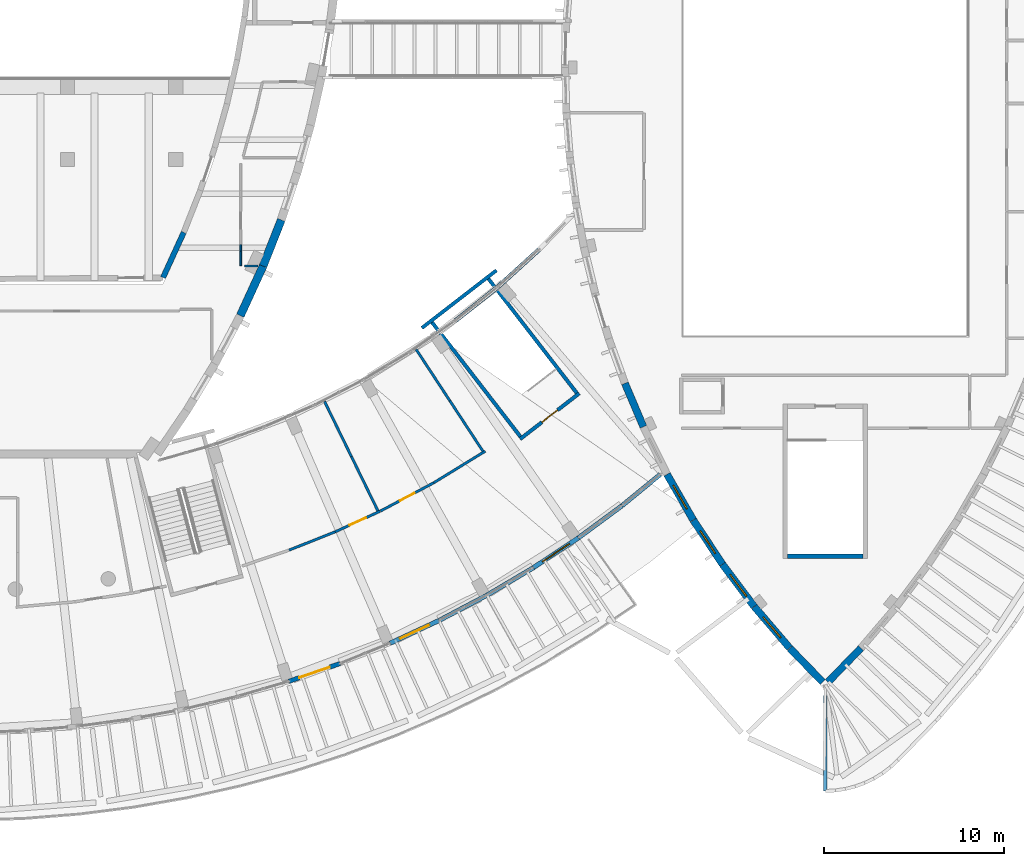
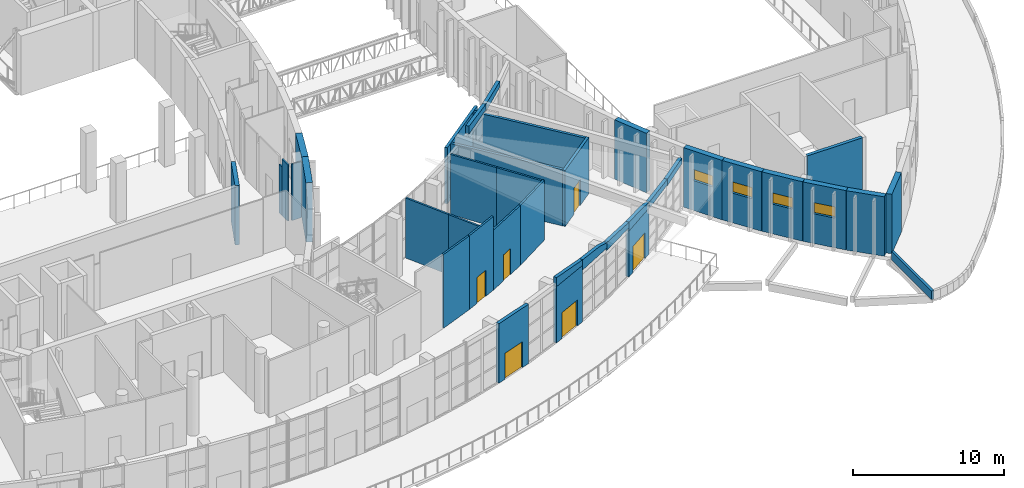
# One storey, part 59 of 93: 38 walls, 6 doors, 4 windows, 10 openings.
"""IFC4 building model written with IfcOpenShell, lengths in metres."""

import ifcopenshell
import ifcopenshell.guid

model = None  # the IFC model being written
_history = None  # IfcOwnerHistory: only IFC2X3 demands one
_inside = {}  # id of a spatial element -> (the spatial element, [elements in it])
_under = {}  # id of a project, library or spatial element -> (it, [spatial elements below it])
_declared = {}  # id of a project -> (the project, [libraries it declares])
_typed = {}  # id of a type object -> (the type object, [elements of that type])
_made_of = {}  # id of a material, layer set ... -> (it, [elements and type objects made of it])


def new_model(schema):
    """Start an empty IFC model of exactly this schema.

    Asked for "IFC4X3", IfcOpenShell would pick the latest addendum, in which some entities
    have other attributes; the version numbers below select the first issue.
    IFC2X3 requires an IfcOwnerHistory on every rooted entity: one is made here for all.
    """
    global model, _history
    if schema == "IFC4X3":
        model = ifcopenshell.file(schema_version=(4, 3, 0, 0))
    else:
        model = ifcopenshell.file(schema=schema)
    _inside.clear()
    _under.clear()
    _declared.clear()
    _typed.clear()
    _made_of.clear()
    _history = None
    if model.schema == "IFC2X3":
        org = make("IfcOrganization", Name="unknown")
        user = make(
            "IfcPersonAndOrganization",
            ThePerson=make("IfcPerson", FamilyName="unknown"),
            TheOrganization=org,
        )
        app = make(
            "IfcApplication",
            ApplicationDeveloper=org,
            Version="unknown",
            ApplicationFullName="unknown",
            ApplicationIdentifier="unknown",
        )
        _history = make(
            "IfcOwnerHistory",
            OwningUser=user,
            OwningApplication=app,
            ChangeAction="ADDED",
            CreationDate=0,
        )
    return model


def make(cls, **values):
    """One entity of the class cls with the attributes given. An attribute that is None is left unset."""
    return model.create_entity(
        cls, **{name: value for name, value in values.items() if value is not None}
    )


def rooted(cls, **values):
    """An entity with a GlobalId (a new one), such as an element, a storey or a relation."""
    return make(cls, GlobalId=ifcopenshell.guid.new(), OwnerHistory=_history, **values)


def si_unit(unit_type, name, prefix=None):
    """IfcSIUnit, for example si_unit("LENGTHUNIT", "METRE", prefix="MILLI")."""
    return make("IfcSIUnit", UnitType=unit_type, Prefix=prefix, Name=name)


def assignment(units):
    """IfcUnitAssignment: the units of a project."""
    return None if units is None else make("IfcUnitAssignment", Units=units)


def point(xyz):
    """IfcCartesianPoint."""
    return None if xyz is None else make("IfcCartesianPoint", Coordinates=xyz)


def direction(xyz):
    """IfcDirection."""
    return None if xyz is None else make("IfcDirection", DirectionRatios=xyz)


def frame(location, z_axis=None, x_axis=None):
    """IfcAxis2Placement3D, a coordinate frame: its origin and axes. An axis left out is left unset."""
    return make(
        "IfcAxis2Placement3D",
        Location=point(location),
        Axis=direction(z_axis),
        RefDirection=direction(x_axis),
    )


def frame_2d(location, x_axis=None):
    """IfcAxis2Placement2D, a coordinate frame in the plane: its origin and x axis."""
    return make(
        "IfcAxis2Placement2D", Location=point(location), RefDirection=direction(x_axis)
    )


def origin():
    """The frame at (0, 0, 0) with its axes left unset."""
    return frame((0.0, 0.0, 0.0))


def place(relative_to, where):
    """IfcLocalPlacement: puts the frame where relative to a parent placement (None: the world)."""
    return make(
        "IfcLocalPlacement", PlacementRelTo=relative_to, RelativePlacement=where
    )


def context(
    kind, dimensions, precision=None, world=None, true_north=None, identifier=None
):
    """IfcGeometricRepresentationContext, for example the 3D "Model" context."""
    return make(
        "IfcGeometricRepresentationContext",
        ContextIdentifier=identifier,
        ContextType=kind,
        CoordinateSpaceDimension=dimensions,
        Precision=precision,
        WorldCoordinateSystem=world,
        TrueNorth=true_north,
    )


def subcontext(parent, identifier, kind, view, scale=None):
    """IfcGeometricRepresentationSubContext, for example "Body" below "Model"."""
    return make(
        "IfcGeometricRepresentationSubContext",
        ContextIdentifier=identifier,
        ContextType=kind,
        ParentContext=parent,
        TargetScale=scale,
        TargetView=view,
    )


def project(units=None, contexts=None):
    """IfcProject with its units and contexts."""
    return rooted(
        "IfcProject",
        Name="project",
        RepresentationContexts=contexts,
        UnitsInContext=assignment(units),
    )


def spatial(cls, under=None, at=None, **own):
    """A site, building, storey or space (cls), placed at a placement, below another one or the project."""
    s = rooted(cls, ObjectPlacement=at, **own)
    if under is not None:
        _under.setdefault(under.id(), (under, []))[1].append(s)
    return s


def polyline(points):
    """IfcPolyline through the points."""
    return make("IfcPolyline", Points=[point(p) for p in points])


def profile(cls, at=None, kind="AREA", **sizes):
    """A parametric profile (cls). Its sizes go by their IFC names, for example OverallWidth=200.0."""
    return make(cls, ProfileType=kind, Position=at, **sizes)


def rectangle(**sizes):
    """IfcRectangleProfileDef."""
    return profile("IfcRectangleProfileDef", **sizes)


def outline(outer, holes=None, kind="AREA"):
    """IfcArbitraryClosedProfileDef: a profile drawn as a closed curve; with holes, ...WithVoids."""
    if holes is None:
        return make("IfcArbitraryClosedProfileDef", ProfileType=kind, OuterCurve=outer)
    return make(
        "IfcArbitraryProfileDefWithVoids",
        ProfileType=kind,
        OuterCurve=outer,
        InnerCurves=holes,
    )


def extrude(swept, where, along, depth):
    """IfcExtrudedAreaSolid: the profile swept, set in the frame where, extruded along a direction by depth."""
    return make(
        "IfcExtrudedAreaSolid",
        SweptArea=swept,
        Position=where,
        ExtrudedDirection=direction(along),
        Depth=depth,
    )


def shape(context_of_items, identifier, shape_type, items):
    """IfcShapeRepresentation: the items that make up one representation, for example the "Body"."""
    return make(
        "IfcShapeRepresentation",
        ContextOfItems=context_of_items,
        RepresentationIdentifier=identifier,
        RepresentationType=shape_type,
        Items=items,
    )


def material(Name=None, Category=None):
    """IfcMaterial."""
    return make("IfcMaterial", Name=Name, Category=Category)


def layer(
    of_material, thickness, ventilated=None, Name=None, Category=None, Priority=None
):
    """IfcMaterialLayer: one layer of a wall or slab, of a material (None: an air gap)."""
    return make(
        "IfcMaterialLayer",
        Material=of_material,
        LayerThickness=thickness,
        IsVentilated=ventilated,
        Name=Name,
        Category=Category,
        Priority=Priority,
    )


def layer_set(layers, Name=None):
    """IfcMaterialLayerSet."""
    return make("IfcMaterialLayerSet", MaterialLayers=layers, LayerSetName=Name)


def made_of(thing, what):
    """Note that an element or type object is made of a material, layer set ...; save() writes the relation."""
    if what is not None:
        _made_of.setdefault(what.id(), (what, []))[1].append(thing)
    return thing


def type_object(cls, material=None, **own):
    """A type object (cls), such as IfcWallType, which elements share."""
    return made_of(rooted(cls, **own), material)


def element(
    cls,
    number,
    at=None,
    inside=None,
    cuts=None,
    type_object=None,
    material=None,
    context=None,
    identifier="Body",
    shape_type=None,
    held_by="IfcProductDefinitionShape",
    body=None,
    shapes=None,
    **own,
):
    """One element of the class cls, such as IfcWall. Its Tag is "e" and its number.

    at: its placement. inside: the storey or other place that contains it. cuts: it is an
    opening in that element (IfcRelVoidsElement). A single representation is given by context,
    identifier, shape_type and body (its items); several are given by shapes. held_by: the class
    of the entity that holds the representations. save() writes the other relations.
    """
    e = rooted(cls, Tag="e%d" % number, ObjectPlacement=at, **own)
    if body is not None:
        shapes = [shape(context, identifier, shape_type, body)]
    if shapes is not None:
        e.Representation = make(held_by, Representations=shapes)
    if inside is not None:
        _inside.setdefault(inside.id(), (inside, []))[1].append(e)
    if cuts is not None:
        rooted(
            "IfcRelVoidsElement", RelatingBuildingElement=cuts, RelatedOpeningElement=e
        )
    if type_object is not None:
        _typed.setdefault(type_object.id(), (type_object, []))[1].append(e)
    return made_of(e, material)


def fill(opening, filler):
    """IfcRelFillsElement: the door or window that sits in an opening."""
    return rooted(
        "IfcRelFillsElement",
        RelatingOpeningElement=opening,
        RelatedBuildingElement=filler,
    )


def aggregate(whole, parts):
    """IfcRelAggregates: a whole, such as a stair, and the parts it consists of."""
    return rooted("IfcRelAggregates", RelatingObject=whole, RelatedObjects=parts)


def save(model, path):
    """Write the relations noted so far, then the file.

    IfcRelAggregates (storeys below a building ...), IfcRelContainedInSpatialStructure (elements
    in a storey), IfcRelDefinesByType, IfcRelAssociatesMaterial and IfcRelDeclares: one each for
    every whole, place, type object, material and project.
    """
    for whole, parts in _under.values():
        aggregate(whole, parts)
    for where, things in _inside.values():
        rooted(
            "IfcRelContainedInSpatialStructure",
            RelatedElements=things,
            RelatingStructure=where,
        )
    for kind, things in _typed.values():
        rooted("IfcRelDefinesByType", RelatedObjects=things, RelatingType=kind)
    for what, things in _made_of.values():
        rooted("IfcRelAssociatesMaterial", RelatedObjects=things, RelatingMaterial=what)
    for by, libraries in _declared.values():
        rooted("IfcRelDeclares", RelatingContext=by, RelatedDefinitions=libraries)
    model.write(path)


model = new_model("IFC4")

# Units and contexts
model_context = context("Model", 3, precision=1e-05, world=origin(), true_north=direction((0.0, 1.0)))
body_context = subcontext(model_context, "Body", "Model", "MODEL_VIEW")
ifc_project = project(units=[si_unit("LENGTHUNIT", "METRE"), si_unit("AREAUNIT", "SQUARE_METRE"), si_unit("VOLUMEUNIT", "CUBIC_METRE"), si_unit("PLANEANGLEUNIT", "RADIAN"), si_unit("MASSUNIT", "GRAM", prefix="KILO")], contexts=[model_context])

# Site, building, storey
site_placement = place(None, origin())
site = spatial("IfcSite", under=ifc_project, at=site_placement, CompositionType="ELEMENT")
building_placement = place(site_placement, origin())
building = spatial("IfcBuilding", under=site, at=building_placement, Name="Tide Square Theatres", CompositionType="ELEMENT")
storey_placement = place(building_placement, frame((0.0, 0.0, 5.39990234375)))
storey = spatial("IfcBuildingStorey", under=building, at=storey_placement, Name="L01", CompositionType="ELEMENT", Elevation=5.39990234375)

# Walls
ifc_material_1 = material(Name="Gypsum board on steel studs", Category="steel")
ifc_layer_1 = layer(ifc_material_1, 0.10009765625)
ifc_layer_set_1 = layer_set([ifc_layer_1], Name="Gypsum board on steel studs")
wall_type_1 = type_object("IfcWallType", Name="Partition 100 thick", PredefinedType="PARTITIONING", material=ifc_layer_set_1)
wall_1_placement = place(storey_placement, frame((99.60009765625, 34.023193359375, 0.0), z_axis=(0.0, 0.0, 1.0), x_axis=(0.0, 1.0, 0.0)))
element("IfcWall", 1, at=wall_1_placement, inside=storey, type_object=wall_type_1, Name="Partition", PredefinedType="PARTITIONING", context=body_context, shape_type="SweptSolid", body=[
    extrude(rectangle(XDim=0.796875, YDim=0.10009765625, at=frame_2d((0.3984375, 0.0))), origin(), (0.0, 0.0, 1.0), 4.550048828125),
])
wall_2_placement = place(storey_placement, frame((99.60009765625, 34.820068359375, 0.0), z_axis=(0.0, 0.0, 1.0), x_axis=(0.0, 1.0, 0.0)))
element("IfcWall", 2, at=wall_2_placement, inside=storey, type_object=wall_type_1, Name="Partition", PredefinedType="PARTITIONING", context=body_context, shape_type="SweptSolid", body=[
    extrude(rectangle(XDim=0.35986328125, YDim=0.10009765625, at=frame_2d((0.179931640625, 0.0))), origin(), (0.0, 0.0, 1.0), 3.920166015625),
])
wall_3_placement = place(storey_placement, frame((100.552734375, 34.0, 0.0), z_axis=(0.0, 0.0, 1.0), x_axis=(-1.0, 0.0, 0.0)))
element("IfcWall", 3, at=wall_3_placement, inside=storey, type_object=wall_type_1, Name="Partition", PredefinedType="PARTITIONING", context=body_context, shape_type="SweptSolid", body=[
    extrude(rectangle(XDim=0.7314453125, YDim=0.10009765625, at=frame_2d((0.36572265625, 0.0))), origin(), (0.0, 0.0, 1.0), 4.550048828125),
])
ifc_material_2 = material(Name="Concrete masonry block", Category="masonry")
ifc_layer_2 = layer(ifc_material_2, 0.139892578125)
ifc_layer_set_2 = layer_set([ifc_layer_2], Name="Concrete masonry block")
wall_type_2 = type_object("IfcWallType", Name="Partition 140 thick", PredefinedType="PARTITIONING", material=ifc_layer_set_2)
wall_4_placement = place(storey_placement, frame((104.243896484375, 26.49365234375, 0.0), z_axis=(0.0, 0.0, 1.0), x_axis=(0.438371440778, -0.898793902911, 0.0)))
element("IfcWall", 4, at=wall_4_placement, inside=storey, type_object=wall_type_2, Name="Foyer room partition", PredefinedType="PARTITIONING", context=body_context, shape_type="SweptSolid", body=[
    extrude(rectangle(XDim=3.41015625, YDim=0.139892578125, at=frame_2d((1.705078125, 0.0))), origin(), (0.0, 0.0, 1.0), 4.84814453125),
])
wall_5_placement = place(storey_placement, frame((105.73876953125, 23.4287109375, 0.0), z_axis=(0.0, 0.0, 1.0), x_axis=(0.438417888835, -0.898771247175, 0.0)))
element("IfcWall", 5, at=wall_5_placement, inside=storey, type_object=wall_type_2, Name="Foyer room partition", PredefinedType="PARTITIONING", context=body_context, shape_type="SweptSolid", body=[
    extrude(rectangle(XDim=3.35009765625, YDim=0.139892578125, at=frame_2d((1.675048828125, 0.0))), origin(), (0.0, 0.0, 1.0), 4.84814453125),
])
wall_6_placement = place(storey_placement, frame((109.3203125, 29.38037109375, 0.0), z_axis=(0.0, 0.0, 1.0), x_axis=(0.548356141439, -0.836244905602, 0.0)))
element("IfcWall", 6, at=wall_6_placement, inside=storey, type_object=wall_type_2, Name="Foyer room partition", PredefinedType="PARTITIONING", context=body_context, shape_type="SweptSolid", body=[
    extrude(rectangle(XDim=3.409912109375, YDim=0.139892578125, at=frame_2d((1.705078125, 0.0))), origin(), (0.0, 0.0, 1.0), 4.84814453125),
])
wall_7_placement = place(storey_placement, frame((111.190185546875, 26.52880859375, 0.0), z_axis=(0.0, 0.0, 1.0), x_axis=(0.548275916475, -0.836297506521, 0.0)))
element("IfcWall", 7, at=wall_7_placement, inside=storey, type_object=wall_type_2, Name="Foyer room partition", PredefinedType="PARTITIONING", context=body_context, shape_type="SweptSolid", body=[
    extrude(rectangle(XDim=3.349853515625, YDim=0.139892578125, at=frame_2d((1.6748046875, 0.0))), origin(), (0.0, 0.0, 1.0), 4.84814453125),
])
wall_8_placement = place(storey_placement, frame((102.2783203125, 18.251708984375, 0.0), z_axis=(0.0, 0.0, 1.0), x_axis=(0.929405109728, 0.369061162968, 0.0)))
element("IfcWall", 8, at=wall_8_placement, inside=storey, type_object=wall_type_2, Name="Foyer room wall", PredefinedType="PARTITIONING", context=body_context, shape_type="SweptSolid", body=[
    extrude(rectangle(XDim=2.748046875, YDim=0.139892578125, at=frame_2d((1.3740234375, 0.0))), origin(), (0.0, 0.0, 1.0), 5.9580078125),
])

# Wall, opening, door
wall_9_placement = place(storey_placement, frame((104.832275390625, 19.265869140625, 0.0), z_axis=(0.0, 0.0, 1.0), x_axis=(0.909004519067, 0.41678625735, 0.0)))
wall_9 = element("IfcWall", 9, at=wall_9_placement, inside=storey, type_object=wall_type_2, Name="Foyer room wall", PredefinedType="PARTITIONING", context=body_context, shape_type="SweptSolid", body=[
    extrude(rectangle(XDim=2.747802734375, YDim=0.139892578125, at=frame_2d((1.3740234375, 0.0))), origin(), (0.0, 0.0, 1.0), 5.9580078125),
])
opening_1_placement = place(wall_9_placement, frame((0.873779296875, 0.0, 0.0)))
opening_1 = element("IfcOpeningElement", 10, at=opening_1_placement, cuts=wall_9, Name="Opening F01-20", PredefinedType="OPENING", context=body_context, shape_type="SweptSolid", body=[
    extrude(rectangle(XDim=1.0, YDim=2.10009765625, at=frame_2d((0.5, 1.050048828125))), frame((0.0, 0.079833984375, 0.0), z_axis=(0.0, -1.0, 0.0), x_axis=(1.0, 0.0, 0.0)), (0.0, 0.0, 1.0), 0.159912109375),
])
ifc_material_3 = material(Name="Hardwood timber", Category="wood")
door_type_1 = type_object("IfcDoorType", Name="Door 1000 x 2100 single leaf", OperationType="NOTDEFINED", PredefinedType="DOOR", material=ifc_material_3)
door_1_placement = place(opening_1_placement, origin())
door_1 = element("IfcDoor", 11, at=door_1_placement, inside=storey, type_object=door_type_1, Name="Upper Cafe door", OperationType="SINGLE_SWING_RIGHT", OverallHeight=2.10009765625, OverallWidth=1.0, PredefinedType="DOOR", context=body_context, shape_type="SweptSolid", body=[
    extrude(rectangle(XDim=1.0, YDim=2.10009765625, at=frame_2d((0.5, 1.050048828125))), frame((0.0, 0.02490234375, 0.0), z_axis=(0.0, -1.0, 0.0), x_axis=(1.0, 0.0, 0.0)), (0.0, 0.0, 1.0), 0.050048828125),
])
fill(opening_1, door_1)

wall_10_placement = place(storey_placement, frame((107.347900390625, 20.419921875, 0.0), z_axis=(0.0, 0.0, 1.0), x_axis=(0.88338973931, 0.468639059918, 0.0)))
wall_10 = element("IfcWall", 12, at=wall_10_placement, inside=storey, type_object=wall_type_2, Name="Foyer room wall", PredefinedType="PARTITIONING", context=body_context, shape_type="SweptSolid", body=[
    extrude(rectangle(XDim=3.343505859375, YDim=0.139892578125, at=frame_2d((1.671875, 0.0))), origin(), (0.0, 0.0, 1.0), 4.84814453125),
])
opening_2_placement = place(wall_10_placement, frame((1.2216796875, 0.0, 0.0)))
opening_2 = element("IfcOpeningElement", 13, at=opening_2_placement, cuts=wall_10, Name="Opening F01-21", PredefinedType="OPENING", context=body_context, shape_type="SweptSolid", body=[
    extrude(rectangle(XDim=0.89990234375, YDim=2.10009765625, at=frame_2d((0.449951171875, 1.050048828125))), frame((0.0, 0.079833984375, 0.0), z_axis=(0.0, -1.0, 0.0), x_axis=(1.0, 0.0, 0.0)), (0.0, 0.0, 1.0), 0.159912109375),
])
ifc_material_4 = material(Name="Hardwood timber", Category="wood")
door_type_2 = type_object("IfcDoorType", Name="Door 900 x 2100 single leaf", OperationType="NOTDEFINED", PredefinedType="DOOR", material=ifc_material_4)
door_2_placement = place(opening_2_placement, origin())
door_2 = element("IfcDoor", 14, at=door_2_placement, inside=storey, type_object=door_type_2, Name="Plant Room F2 door", OperationType="SINGLE_SWING_LEFT", OverallHeight=2.10009765625, OverallWidth=0.89990234375, PredefinedType="DOOR", context=body_context, shape_type="SweptSolid", body=[
    extrude(rectangle(XDim=0.89990234375, YDim=2.10009765625, at=frame_2d((0.449951171875, 1.050048828125))), frame((0.0, 0.02490234375, 0.0), z_axis=(0.0, -1.0, 0.0), x_axis=(1.0, 0.0, 0.0)), (0.0, 0.0, 1.0), 0.050048828125),
])
fill(opening_2, door_2)

# Walls
wall_11_placement = place(storey_placement, frame((110.301513671875, 21.98681640625, 0.0), z_axis=(0.0, 0.0, 1.0), x_axis=(0.852111809023, 0.523359785352, 0.0)))
element("IfcWall", 15, at=wall_11_placement, inside=storey, type_object=wall_type_2, Name="Foyer room wall", PredefinedType="PARTITIONING", context=body_context, shape_type="SweptSolid", body=[
    extrude(rectangle(XDim=3.34326171875, YDim=0.139892578125, at=frame_2d((1.671630859375, 0.0))), origin(), (0.0, 0.0, 1.0), 4.84814453125),
])
ifc_material_5 = material(Name="Concrete C40", Category="concrete")
ifc_layer_3 = layer(ifc_material_5, 0.39990234375)
ifc_layer_set_3 = layer_set([ifc_layer_3], Name="Concrete C40")
wall_type_3 = type_object("IfcWallType", Name="RC curved wall 400 thick", PredefinedType="SOLIDWALL", material=ifc_layer_set_3)
wall_12_placement = place(storey_placement, frame((132.1435546875, 10.935302734375, 0.0), z_axis=(0.0, 0.0, 1.0), x_axis=(0.696353968975, 0.71769850905, 0.0)))
element("IfcWall", 16, at=wall_12_placement, inside=storey, type_object=wall_type_3, Name="Black Box Theatre perimeter wall", PredefinedType="SOLIDWALL", context=body_context, shape_type="SweptSolid", body=[
    extrude(rectangle(XDim=2.619384765625, YDim=0.39990234375, at=frame_2d((1.3095703125, 0.0))), origin(), (0.0, 0.0, 1.0), 4.800048828125),
])
wall_13_placement = place(storey_placement, frame((120.893310546875, 27.49609375, 0.0), z_axis=(0.0, 0.0, 1.0), x_axis=(0.391529943778, -0.920165367271, 0.0)))
element("IfcWall", 17, at=wall_13_placement, inside=storey, type_object=wall_type_3, Name="Black Box Theatre perimeter wall", PredefinedType="SOLIDWALL", context=body_context, shape_type="SweptSolid", body=[
    extrude(rectangle(XDim=2.61572265625, YDim=0.39990234375, at=frame_2d((1.307861328125, 0.0))), origin(), (0.0, 0.0, 1.0), 4.800048828125),
])

# Wall, opening, window
wall_14_placement = place(storey_placement, frame((123.2255859375, 22.451904296875, 0.0), z_axis=(0.0, 0.0, 1.0), x_axis=(0.498406705095, -0.866943340892, 0.0)))
wall_14 = element("IfcWall", 18, at=wall_14_placement, inside=storey, type_object=wall_type_3, Name="Black Box Theatre perimeter wall", PredefinedType="SOLIDWALL", context=body_context, shape_type="SweptSolid", body=[
    extrude(rectangle(XDim=2.91943359375, YDim=0.39990234375, at=frame_2d((1.459716796875, 0.0))), origin(), (0.0, 0.0, 1.0), 4.800048828125),
])
opening_3_placement = place(wall_14_placement, frame((0.709716796875, 0.0, 2.39990234375)))
opening_3 = element("IfcOpeningElement", 19, at=opening_3_placement, cuts=wall_14, Name="Opening WN-04", PredefinedType="OPENING", context=body_context, shape_type="SweptSolid", body=[
    extrude(rectangle(XDim=1.5, YDim=0.89990234375, at=frame_2d((0.75, 0.449951171875))), frame((0.0, 0.2099609375, 0.0), z_axis=(0.0, -1.0, 0.0), x_axis=(1.0, 0.0, 0.0)), (0.0, 0.0, 1.0), 0.419921875),
])
ifc_material_6 = material(Name="Aluminium with laminated glass", Category="aluminium")
window_type = type_object("IfcWindowType", Name="Window 1500 x 900", PartitioningType="SINGLE_PANEL", PredefinedType="WINDOW", material=ifc_material_6)
window_1_placement = place(opening_3_placement, origin())
window_1 = element("IfcWindow", 20, at=window_1_placement, inside=storey, type_object=window_type, Name="Black Box Theatre Costume Store window", OverallHeight=0.89990234375, OverallWidth=1.5, PartitioningType="SINGLE_PANEL", PredefinedType="WINDOW", context=body_context, shape_type="SweptSolid", body=[
    extrude(rectangle(XDim=1.5, YDim=0.89990234375, at=frame_2d((0.75, 0.449951171875))), frame((0.0, 0.030029296875, 0.0), z_axis=(0.0, -1.0, 0.0), x_axis=(1.0, 0.0, 0.0)), (0.0, 0.0, 1.0), 0.06005859375),
])
fill(opening_3, window_1)

wall_15_placement = place(storey_placement, frame((124.68701171875, 19.91064453125, 0.0), z_axis=(0.0, 0.0, 1.0), x_axis=(0.550602185206, -0.834767772285, 0.0)))
wall_15 = element("IfcWall", 21, at=wall_15_placement, inside=storey, type_object=wall_type_3, Name="Black Box Theatre perimeter wall", PredefinedType="SOLIDWALL", context=body_context, shape_type="SweptSolid", body=[
    extrude(rectangle(XDim=2.91943359375, YDim=0.39990234375, at=frame_2d((1.459716796875, 0.0))), origin(), (0.0, 0.0, 1.0), 4.800048828125),
])
opening_4_placement = place(wall_15_placement, frame((0.709716796875, 0.0, 2.39990234375)))
opening_4 = element("IfcOpeningElement", 22, at=opening_4_placement, cuts=wall_15, Name="Opening WN-04", PredefinedType="OPENING", context=body_context, shape_type="SweptSolid", body=[
    extrude(rectangle(XDim=1.5, YDim=0.89990234375, at=frame_2d((0.75, 0.449951171875))), frame((0.0, 0.2099609375, 0.0), z_axis=(0.0, -1.0, 0.0), x_axis=(1.0, 0.0, 0.0)), (0.0, 0.0, 1.0), 0.419921875),
])
window_2_placement = place(opening_4_placement, origin())
window_2 = element("IfcWindow", 23, at=window_2_placement, inside=storey, type_object=window_type, Name="Black Box Theatre Costume Store window", OverallHeight=0.89990234375, OverallWidth=1.5, PartitioningType="SINGLE_PANEL", PredefinedType="WINDOW", context=body_context, shape_type="SweptSolid", body=[
    extrude(rectangle(XDim=1.5, YDim=0.89990234375, at=frame_2d((0.75, 0.449951171875))), frame((0.0, 0.030029296875, 0.0), z_axis=(0.0, -1.0, 0.0), x_axis=(1.0, 0.0, 0.0)), (0.0, 0.0, 1.0), 0.06005859375),
])
fill(opening_4, window_2)

wall_16_placement = place(storey_placement, frame((126.301513671875, 17.463623046875, 0.0), z_axis=(0.0, 0.0, 1.0), x_axis=(0.600829330321, -0.799377330068, 0.0)))
wall_16 = element("IfcWall", 24, at=wall_16_placement, inside=storey, type_object=wall_type_3, Name="Black Box Theatre perimeter wall", PredefinedType="SOLIDWALL", context=body_context, shape_type="SweptSolid", body=[
    extrude(rectangle(XDim=2.919189453125, YDim=0.39990234375, at=frame_2d((1.45947265625, 0.0))), origin(), (0.0, 0.0, 1.0), 4.800048828125),
])
opening_5_placement = place(wall_16_placement, frame((0.709716796875, 0.0, 2.39990234375)))
opening_5 = element("IfcOpeningElement", 25, at=opening_5_placement, cuts=wall_16, Name="Opening WN-04", PredefinedType="OPENING", context=body_context, shape_type="SweptSolid", body=[
    extrude(rectangle(XDim=1.5, YDim=0.89990234375, at=frame_2d((0.75, 0.449951171875))), frame((0.0, 0.2099609375, 0.0), z_axis=(0.0, -1.0, 0.0), x_axis=(1.0, 0.0, 0.0)), (0.0, 0.0, 1.0), 0.419921875),
])
window_3_placement = place(opening_5_placement, origin())
window_3 = element("IfcWindow", 26, at=window_3_placement, inside=storey, type_object=window_type, Name="Black Box Theatre Costume Store window", OverallHeight=0.89990234375, OverallWidth=1.5, PartitioningType="SINGLE_PANEL", PredefinedType="WINDOW", context=body_context, shape_type="SweptSolid", body=[
    extrude(rectangle(XDim=1.5, YDim=0.89990234375, at=frame_2d((0.75, 0.449951171875))), frame((0.0, 0.030029296875, 0.0), z_axis=(0.0, -1.0, 0.0), x_axis=(1.0, 0.0, 0.0)), (0.0, 0.0, 1.0), 0.06005859375),
])
fill(opening_5, window_3)

wall_17_placement = place(storey_placement, frame((128.06298828125, 15.120361328125, 0.0), z_axis=(0.0, 0.0, 1.0), x_axis=(0.649458578854, -0.760396971557, 0.0)))
wall_17 = element("IfcWall", 27, at=wall_17_placement, inside=storey, type_object=wall_type_3, Name="Black Box Theatre perimeter wall", PredefinedType="SOLIDWALL", context=body_context, shape_type="SweptSolid", body=[
    extrude(rectangle(XDim=3.019287109375, YDim=0.39990234375, at=frame_2d((1.509765625, 0.0))), origin(), (0.0, 0.0, 1.0), 4.800048828125),
])
opening_6_placement = place(wall_17_placement, frame((0.759521484375, 0.0, 2.39990234375)))
opening_6 = element("IfcOpeningElement", 28, at=opening_6_placement, cuts=wall_17, Name="Opening WN-04", PredefinedType="OPENING", context=body_context, shape_type="SweptSolid", body=[
    extrude(rectangle(XDim=1.5, YDim=0.89990234375, at=frame_2d((0.75, 0.449951171875))), frame((0.0, 0.2099609375, 0.0), z_axis=(0.0, -1.0, 0.0), x_axis=(1.0, 0.0, 0.0)), (0.0, 0.0, 1.0), 0.419921875),
])
window_4_placement = place(opening_6_placement, origin())
window_4 = element("IfcWindow", 29, at=window_4_placement, inside=storey, type_object=window_type, Name="Black Box Theatre Costume Store window", OverallHeight=0.89990234375, OverallWidth=1.5, PartitioningType="SINGLE_PANEL", PredefinedType="WINDOW", context=body_context, shape_type="SweptSolid", body=[
    extrude(rectangle(XDim=1.5, YDim=0.89990234375, at=frame_2d((0.75, 0.449951171875))), frame((0.0, 0.030029296875, 0.0), z_axis=(0.0, -1.0, 0.0), x_axis=(1.0, 0.0, 0.0)), (0.0, 0.0, 1.0), 0.06005859375),
])
fill(opening_6, window_4)

# Walls
wall_18_placement = place(storey_placement, frame((130.032470703125, 12.815185546875, 0.0), z_axis=(0.0, 0.0, 1.0), x_axis=(0.696353968975, -0.71769850905, 0.0)))
element("IfcWall", 30, at=wall_18_placement, inside=storey, type_object=wall_type_3, Name="Black Box Theatre perimeter wall", PredefinedType="SOLIDWALL", context=body_context, shape_type="SweptSolid", body=[
    extrude(rectangle(XDim=2.619384765625, YDim=0.39990234375, at=frame_2d((1.3095703125, 0.0))), origin(), (0.0, 0.0, 1.0), 4.800048828125),
])
ifc_material_7 = material(Name="Concrete C40", Category="concrete")
ifc_layer_4 = layer(ifc_material_7, 0.449951171875)
ifc_layer_set_4 = layer_set([ifc_layer_4], Name="Concrete C40")
wall_type_4 = type_object("IfcWallType", Name="RC curved wall 450 thick", PredefinedType="SOLIDWALL", material=ifc_layer_set_4)
wall_19_placement = place(storey_placement, frame((99.5791015625, 31.246337890625, 0.0), z_axis=(0.0, 0.0, 1.0), x_axis=(0.416407051835, 0.909178292296, 0.0)))
element("IfcWall", 31, at=wall_19_placement, inside=storey, type_object=wall_type_4, Name="Main Theatre perimeter wall", PredefinedType="SOLIDWALL", context=body_context, shape_type="SweptSolid", body=[
    extrude(rectangle(XDim=3.021240234375, YDim=0.449951171875, at=frame_2d((1.5107421875, 0.0))), origin(), (0.0, 0.0, 1.0), 4.800048828125),
])
wall_20_placement = place(storey_placement, frame((100.837158203125, 33.9931640625, 0.0), z_axis=(0.0, 0.0, 1.0), x_axis=(0.366920100653, 0.930252460215, 0.0)))
element("IfcWall", 32, at=wall_20_placement, inside=storey, type_object=wall_type_4, Name="Main Theatre perimeter wall", PredefinedType="SOLIDWALL", context=body_context, shape_type="SweptSolid", body=[
    extrude(rectangle(XDim=2.751953125, YDim=0.449951171875, at=frame_2d((1.3759765625, 0.0))), origin(), (0.0, 0.0, 1.0), 4.800048828125),
])
ifc_material_8 = material(Name="Concrete C40", Category="concrete")
ifc_layer_5 = layer(ifc_material_8, 0.179931640625)
ifc_layer_set_5 = layer_set([ifc_layer_5], Name="Concrete C40")
wall_type_5 = type_object("IfcWallType", Name="RC parapet 180 thick", PredefinedType="PARAPET", material=ifc_layer_set_5)
wall_21_placement = place(storey_placement, frame((132.0, 4.89990234375, 0.0), z_axis=(0.0, 0.0, 1.0), x_axis=(0.0, 1.0, 0.0)))
element("IfcWall", 33, at=wall_21_placement, inside=storey, type_object=wall_type_5, Name="Arcade roof parapet", PredefinedType="PARAPET", context=body_context, shape_type="SweptSolid", body=[
    extrude(rectangle(XDim=5.300048828125, YDim=0.179931640625, at=frame_2d((2.64990234375, 0.0))), origin(), (0.0, 0.0, 1.0), 0.7001953125),
])

# Wall, opening, door
ifc_material_9 = material(Name="Concrete C40", Category="concrete")
ifc_layer_6 = layer(ifc_material_9, 0.199951171875)
ifc_layer_set_6 = layer_set([ifc_layer_6], Name="Concrete C40")
wall_type_6 = type_object("IfcWallType", Name="RC shear wall 200 thick", PredefinedType="SHEAR", material=ifc_layer_set_6)
wall_22_placement = place(storey_placement, frame((118.36376953125, 26.94287109375, 0.0), z_axis=(0.0, 0.0, 1.0), x_axis=(-0.791154317501, -0.611616584062, 0.0)))
wall_22 = element("IfcWall", 34, at=wall_22_placement, inside=storey, type_object=wall_type_6, Name="Exit stair F2 wall", PredefinedType="SHEAR", context=body_context, shape_type="SweptSolid", body=[
    extrude(rectangle(XDim=4.150146484375, YDim=0.199951171875, at=frame_2d((2.0751953125, 0.0))), origin(), (0.0, 0.0, 1.0), 4.531005859375),
])
opening_7_placement = place(wall_22_placement, frame((1.52490234375, 0.0, 0.0)))
opening_7 = element("IfcOpeningElement", 35, at=opening_7_placement, cuts=wall_22, Name="Opening F01-12", PredefinedType="OPENING", context=body_context, shape_type="SweptSolid", body=[
    extrude(rectangle(XDim=1.10009765625, YDim=2.10009765625, at=frame_2d((0.550048828125, 1.050048828125))), frame((0.0, 0.10986328125, 0.0), z_axis=(0.0, -1.0, 0.0), x_axis=(1.0, 0.0, 0.0)), (0.0, 0.0, 1.0), 0.219970703125),
])
ifc_material_10 = material(Name="Painted steel", Category="steel")
door_type_3 = type_object("IfcDoorType", Name="Door 1100 x 2100 single leaf", OperationType="NOTDEFINED", PredefinedType="DOOR", material=ifc_material_10)
door_3_placement = place(opening_7_placement, origin())
door_3 = element("IfcDoor", 36, at=door_3_placement, inside=storey, type_object=door_type_3, Name="Exit stair F2 door", OperationType="SINGLE_SWING_LEFT", OverallHeight=2.10009765625, OverallWidth=1.10009765625, PredefinedType="DOOR", context=body_context, shape_type="SweptSolid", body=[
    extrude(rectangle(XDim=1.10009765625, YDim=2.10009765625, at=frame_2d((0.550048828125, 1.050048828125))), frame((0.0, 0.02490234375, 0.0), z_axis=(0.0, -1.0, 0.0), x_axis=(1.0, 0.0, 0.0)), (0.0, 0.0, 1.0), 0.050048828125),
])
fill(opening_7, door_3)

# Walls
wall_23_placement = place(storey_placement, frame((113.775634765625, 33.760498046875, 0.0), z_axis=(0.0, 0.0, 1.0), x_axis=(-0.791153575139, -0.61161754434, 0.0)))
element("IfcWall", 37, at=wall_23_placement, inside=storey, type_object=wall_type_6, Name="Exit stair F2 wall", PredefinedType="SHEAR", context=body_context, shape_type="SweptSolid", body=[
    extrude(rectangle(XDim=5.22998046875, YDim=0.199951171875, at=frame_2d((2.614990234375, 0.0))), origin(), (0.0, 0.0, 1.0), 4.531005859375),
])
for number, where, z_axis, x_axis, name in (
    (38, (118.223388671875, 26.960693359375, 0.0), (0.0, 0.0, 1.0), (-0.61163509056, 0.791140010362, 0.0), "Exit stair F2 wall"),
    (39, (115.098388671875, 24.544921875, 0.0), (0.0, 0.0, 1.0), (-0.61163509056, 0.791140010362, 0.0), "Exit stair F2 wall"),
):
    element("IfcWall", number, at=place(storey_placement, frame(where, z_axis=z_axis, x_axis=x_axis)), inside=storey, type_object=wall_type_6, Name=name, PredefinedType="SHEAR", context=body_context, shape_type="SweptSolid", body=[
        extrude(rectangle(XDim=8.0, YDim=0.199951171875, at=frame_2d((4.0, 0.0))), origin(), (0.0, 0.0, 1.0), 4.531005859375),
    ])
ifc_material_11 = material(Name="Concrete C40", Category="concrete")
ifc_layer_7 = layer(ifc_material_11, 0.25)
ifc_layer_set_7 = layer_set([ifc_layer_7], Name="Concrete C40")
wall_type_7 = type_object("IfcWallType", Name="RC shear wall 250 thick", PredefinedType="SHEAR", material=ifc_layer_set_7)
wall_24_placement = place(storey_placement, frame((134.10009765625, 17.925048828125, 0.0), z_axis=(0.0, 0.0, 1.0), x_axis=(-1.0, 0.0, 0.0)))
element("IfcWall", 40, at=wall_24_placement, inside=storey, type_object=wall_type_7, Name="Black Box Theatre Stair B2 shaft wall", PredefinedType="SHEAR", context=body_context, shape_type="SweptSolid", body=[
    extrude(rectangle(XDim=4.2001953125, YDim=0.25, at=frame_2d((2.10009765625, 0.0))), origin(), (0.0, 0.0, 1.0), 4.5),
])

# Wall, opening, door
wall_25_placement = place(storey_placement, frame((102.273193359375, 10.981689453125, 0.0), z_axis=(0.0, 0.0, 1.0), x_axis=(0.944369202368, 0.328887229334, 0.0)))
wall_25 = element("IfcWall", 41, at=wall_25_placement, inside=storey, type_object=wall_type_7, Name="Foyer entrance pier wall", PredefinedType="SHEAR", context=body_context, shape_type="SweptSolid", body=[
    extrude(rectangle(XDim=2.99609375, YDim=0.25, at=frame_2d((1.498046875, 0.0))), origin(), (0.0, 0.0, 1.0), 4.800048828125),
])
opening_8_placement = place(wall_25_placement, frame((0.597900390625, 0.0, 0.0)))
opening_8 = element("IfcOpeningElement", 42, at=opening_8_placement, cuts=wall_25, Name="Opening F01-08", PredefinedType="OPENING", context=body_context, shape_type="SweptSolid", body=[
    extrude(rectangle(XDim=1.800048828125, YDim=2.10009765625, at=frame_2d((0.89990234375, 1.050048828125))), frame((0.0, 0.135009765625, 0.0), z_axis=(0.0, -1.0, 0.0), x_axis=(1.0, 0.0, 0.0)), (0.0, 0.0, 1.0), 0.27001953125),
])
ifc_material_12 = material(Name="Hardwood timber", Category="wood")
door_type_4 = type_object("IfcDoorType", Name="Door 1800 x 2100 double leaf", OperationType="DOUBLE_DOOR_SINGLE_SWING", PredefinedType="DOOR", material=ifc_material_12)
door_4_placement = place(opening_8_placement, frame((1.800048828125, 0.0, 0.0), z_axis=(0.0, 0.0, 1.0), x_axis=(-1.0, 0.0, 0.0)))
door_4 = element("IfcDoor", 43, at=door_4_placement, inside=storey, type_object=door_type_4, Name="Foyer veranda door", OperationType="DOUBLE_DOOR_SINGLE_SWING", OverallHeight=2.10009765625, OverallWidth=1.800048828125, PredefinedType="DOOR", context=body_context, shape_type="SweptSolid", body=[
    extrude(rectangle(XDim=1.800048828125, YDim=2.10009765625, at=frame_2d((0.89990234375, 1.050048828125))), frame((0.0, 0.02490234375, 0.0), z_axis=(0.0, -1.0, 0.0), x_axis=(1.0, 0.0, 0.0)), (0.0, 0.0, 1.0), 0.050048828125),
])
fill(opening_8, door_4)

wall_26_placement = place(storey_placement, frame((107.879150390625, 13.0927734375, 0.0), z_axis=(0.0, 0.0, 1.0), x_axis=(0.906763139796, 0.421640377937, 0.0)))
wall_26 = element("IfcWall", 44, at=wall_26_placement, inside=storey, type_object=wall_type_7, Name="Foyer entrance pier wall", PredefinedType="SHEAR", context=body_context, shape_type="SweptSolid", body=[
    extrude(rectangle(XDim=2.995849609375, YDim=0.25, at=frame_2d((1.498046875, 0.0))), origin(), (0.0, 0.0, 1.0), 4.555908203125),
])
opening_9_placement = place(wall_26_placement, frame((0.597900390625, 0.0, 0.0)))
opening_9 = element("IfcOpeningElement", 45, at=opening_9_placement, cuts=wall_26, Name="Opening F01-09", PredefinedType="OPENING", context=body_context, shape_type="SweptSolid", body=[
    extrude(rectangle(XDim=1.800048828125, YDim=2.10009765625, at=frame_2d((0.89990234375, 1.050048828125))), frame((0.0, 0.135009765625, 0.0), z_axis=(0.0, -1.0, 0.0), x_axis=(1.0, 0.0, 0.0)), (0.0, 0.0, 1.0), 0.27001953125),
])
door_5_placement = place(opening_9_placement, frame((1.800048828125, 0.0, 0.0), z_axis=(0.0, 0.0, 1.0), x_axis=(-1.0, 0.0, 0.0)))
door_5 = element("IfcDoor", 46, at=door_5_placement, inside=storey, type_object=door_type_4, Name="Foyer veranda door", OperationType="DOUBLE_DOOR_SINGLE_SWING", OverallHeight=2.10009765625, OverallWidth=1.800048828125, PredefinedType="DOOR", context=body_context, shape_type="SweptSolid", body=[
    extrude(rectangle(XDim=1.800048828125, YDim=2.10009765625, at=frame_2d((0.89990234375, 1.050048828125))), frame((0.0, 0.02490234375, 0.0), z_axis=(0.0, -1.0, 0.0), x_axis=(1.0, 0.0, 0.0)), (0.0, 0.0, 1.0), 0.050048828125),
])
fill(opening_9, door_5)

# Wall
wall_27_placement = place(storey_placement, frame((107.879150390625, 13.0927734375, 4.555908203125), z_axis=(0.0, 0.0, 1.0), x_axis=(0.906763139796, 0.421640377937, 0.0)))
element("IfcWall", 47, at=wall_27_placement, inside=storey, type_object=wall_type_7, Name="Foyer fascia wall", PredefinedType="SHEAR", context=body_context, shape_type="SweptSolid", body=[
    extrude(outline(polyline([(0.0, 0.0), (2.995849609375, 0.0), (2.99609375, 0.44921875), (0.0, 0.722900390625), (0.0, 0.0)])), frame((0.0, 0.125, 0.0), z_axis=(0.0, -1.0, 0.0), x_axis=(1.0, 0.0, 0.0)), (0.0, 0.0, 1.0), 0.25),
])

# Wall, opening, door
wall_28_placement = place(storey_placement, frame((115.822509765625, 17.28173828125, 0.0), z_axis=(0.0, 0.0, 1.0), x_axis=(0.83348910578, 0.552535890732, 0.0)))
wall_28 = element("IfcWall", 48, at=wall_28_placement, inside=storey, type_object=wall_type_7, Name="Foyer entrance pier wall", PredefinedType="SHEAR", context=body_context, shape_type="SweptSolid", body=[
    extrude(rectangle(XDim=2.996337890625, YDim=0.25, at=frame_2d((1.498046875, 0.0))), origin(), (0.0, 0.0, 1.0), 3.710205078125),
])
opening_10_placement = place(wall_28_placement, frame((0.597900390625, 0.0, 0.0)))
opening_10 = element("IfcOpeningElement", 49, at=opening_10_placement, cuts=wall_28, Name="Opening F01-10", PredefinedType="OPENING", context=body_context, shape_type="SweptSolid", body=[
    extrude(rectangle(XDim=1.800048828125, YDim=2.10009765625, at=frame_2d((0.89990234375, 1.050048828125))), frame((0.0, 0.135009765625, 0.0), z_axis=(0.0, -1.0, 0.0), x_axis=(1.0, 0.0, 0.0)), (0.0, 0.0, 1.0), 0.27001953125),
])
door_6_placement = place(opening_10_placement, frame((1.800048828125, 0.0, 0.0), z_axis=(0.0, 0.0, 1.0), x_axis=(-1.0, 0.0, 0.0)))
door_6 = element("IfcDoor", 50, at=door_6_placement, inside=storey, type_object=door_type_4, Name="Foyer veranda door", OperationType="DOUBLE_DOOR_SINGLE_SWING", OverallHeight=2.10009765625, OverallWidth=1.800048828125, PredefinedType="DOOR", context=body_context, shape_type="SweptSolid", body=[
    extrude(rectangle(XDim=1.800048828125, YDim=2.10009765625, at=frame_2d((0.89990234375, 1.050048828125))), frame((0.0, 0.02490234375, 0.0), z_axis=(0.0, -1.0, 0.0), x_axis=(1.0, 0.0, 0.0)), (0.0, 0.0, 1.0), 0.050048828125),
])
fill(opening_10, door_6)

# Walls
wall_29_placement = place(storey_placement, frame((115.822509765625, 17.28173828125, 3.710205078125), z_axis=(0.0, 0.0, 1.0), x_axis=(0.83348910578, 0.552535890732, 0.0)))
element("IfcWall", 51, at=wall_29_placement, inside=storey, type_object=wall_type_7, Name="Foyer fascia wall", PredefinedType="SHEAR", context=body_context, shape_type="SweptSolid", body=[
    extrude(outline(polyline([(0.0, 0.0), (2.996337890625, 0.0), (2.99609375, 0.449462890625), (2.6962890625, 0.481201171875), (2.09716796875, 0.58935546875), (1.797607421875, 0.6123046875), (0.0, 0.714599609375), (0.0, 0.0)])), frame((0.0, 0.125, 0.0), z_axis=(0.0, -1.0, 0.0), x_axis=(1.0, 0.0, 0.0)), (0.0, 0.0, 1.0), 0.25),
])
wall_30_placement = place(storey_placement, frame((110.595703125, 14.35595703125, 4.165283203125), z_axis=(0.0, 0.0, 1.0), x_axis=(0.884553818348, 0.466438144286, 0.0)))
element("IfcWall", 52, at=wall_30_placement, inside=storey, type_object=wall_type_7, Name="Foyer fascia wall", PredefinedType="SHEAR", context=body_context, shape_type="SweptSolid", body=[
    extrude(outline(polyline([(0.0, 0.0), (2.99609375, 0.0), (2.99609375, 0.449462890625), (2.6962890625, 0.501708984375), (2.09716796875, 0.658935546875), (1.797607421875, 0.68994140625), (0.0, 0.839111328125), (0.0, 0.0)])), frame((0.0, 0.125, 0.0), z_axis=(0.0, -1.0, 0.0), x_axis=(1.0, 0.0, 0.0)), (0.0, 0.0, 1.0), 0.25),
])
wall_31_placement = place(storey_placement, frame((113.245849609375, 15.75341796875, 3.9755859375), z_axis=(0.0, 0.0, 1.0), x_axis=(0.860084957084, 0.510150827302, 0.0)))
element("IfcWall", 53, at=wall_31_placement, inside=storey, type_object=wall_type_7, Name="Foyer fascia wall", PredefinedType="SHEAR", context=body_context, shape_type="SweptSolid", body=[
    extrude(outline(polyline([(0.0, 0.0), (2.995849609375, 0.0), (2.99609375, 0.449462890625), (0.0, 0.638916015625), (0.0, 0.0)])), frame((0.0, 0.125, 0.0), z_axis=(0.0, -1.0, 0.0), x_axis=(1.0, 0.0, 0.0)), (0.0, 0.0, 1.0), 0.25),
])
wall_32_placement = place(storey_placement, frame((118.31982421875, 18.937255859375, 3.638916015625), z_axis=(0.0, 0.0, 1.0), x_axis=(0.804824318552, 0.593513113813, 0.0)))
element("IfcWall", 54, at=wall_32_placement, inside=storey, type_object=wall_type_7, Name="Foyer fascia wall", PredefinedType="SHEAR", context=body_context, shape_type="SweptSolid", body=[
    extrude(outline(polyline([(0.0, 0.0), (2.995849609375, 0.0), (2.99609375, 0.44970703125), (0.0, 0.5205078125), (0.0, 0.0)])), frame((0.0, 0.125, 0.0), z_axis=(0.0, -1.0, 0.0), x_axis=(1.0, 0.0, 0.0)), (0.0, 0.0, 1.0), 0.25),
])
wall_33_placement = place(storey_placement, frame((120.73095703125, 20.71533203125, 3.555908203125), z_axis=(0.0, 0.0, 1.0), x_axis=(0.774147105236, 0.63300573414, 0.0)))
element("IfcWall", 55, at=wall_33_placement, inside=storey, type_object=wall_type_7, Name="Foyer fascia wall", PredefinedType="SHEAR", context=body_context, shape_type="SweptSolid", body=[
    extrude(outline(polyline([(0.0, 0.0), (2.750244140625, 0.0), (2.750244140625, 0.44970703125), (2.2001953125, 0.484130859375), (1.92529296875, 0.496337890625), (0.0, 0.532470703125), (0.0, 0.0)])), frame((0.0, 0.125, 0.0), z_axis=(0.0, -1.0, 0.0), x_axis=(1.0, 0.0, 0.0)), (0.0, 0.0, 1.0), 0.25),
])
wall_34_placement = place(storey_placement, frame((116.12744140625, 34.904052734375, 4.559814453125), z_axis=(0.0, 0.0, 1.0), x_axis=(-0.740052787851, -0.672548787222, 0.0)))
element("IfcWall", 56, at=wall_34_placement, inside=storey, type_object=wall_type_7, Name="Foyer fascia wall", PredefinedType="SHEAR", context=body_context, shape_type="SweptSolid", body=[
    extrude(outline(polyline([(0.0, 0.0), (3.0380859375, 0.0), (3.037841796875, 0.626708984375), (0.0, 0.449462890625), (0.0, 0.0)])), frame((0.0, 0.125, 0.0), z_axis=(0.0, -1.0, 0.0), x_axis=(1.0, 0.0, 0.0)), (0.0, 0.0, 1.0), 0.25),
])
wall_35_placement = place(storey_placement, frame((113.879150390625, 32.86083984375, 4.737548828125), z_axis=(0.0, 0.0, 1.0), x_axis=(-0.782746964437, -0.622340091642, 0.0)))
element("IfcWall", 57, at=wall_35_placement, inside=storey, type_object=wall_type_7, Name="Foyer fascia wall", PredefinedType="SHEAR", context=body_context, shape_type="SweptSolid", body=[
    extrude(outline(polyline([(0.0, 0.0), (3.037841796875, 0.0), (3.037841796875, 0.64404296875), (0.0, 0.44970703125), (0.0, 0.0)])), frame((0.0, 0.125, 0.0), z_axis=(0.0, -1.0, 0.0), x_axis=(1.0, 0.0, 0.0)), (0.0, 0.0, 1.0), 0.25),
])
ifc_material_13 = material(Name="Concrete C40", Category="concrete")
ifc_layer_8 = layer(ifc_material_13, 0.300048828125)
ifc_layer_set_8 = layer_set([ifc_layer_8], Name="Concrete C40")
wall_type_8 = type_object("IfcWallType", Name="RC shear wall 300 thick", PredefinedType="SHEAR", material=ifc_layer_set_8)
wall_36_placement = place(storey_placement, frame((95.293701171875, 33.3564453125, 0.0), z_axis=(0.0, 0.0, 1.0), x_axis=(0.416368255987, 0.909196059938, 0.0)))
element("IfcWall", 58, at=wall_36_placement, inside=storey, type_object=wall_type_8, Name="Main Theatre auditorium wall", PredefinedType="SHEAR", context=body_context, shape_type="SweptSolid", body=[
    extrude(rectangle(XDim=2.7587890625, YDim=0.300048828125, at=frame_2d((1.37939453125, 0.0))), origin(), (0.0, 0.0, 1.0), 4.800048828125),
])

save(model, "model.ifc")
